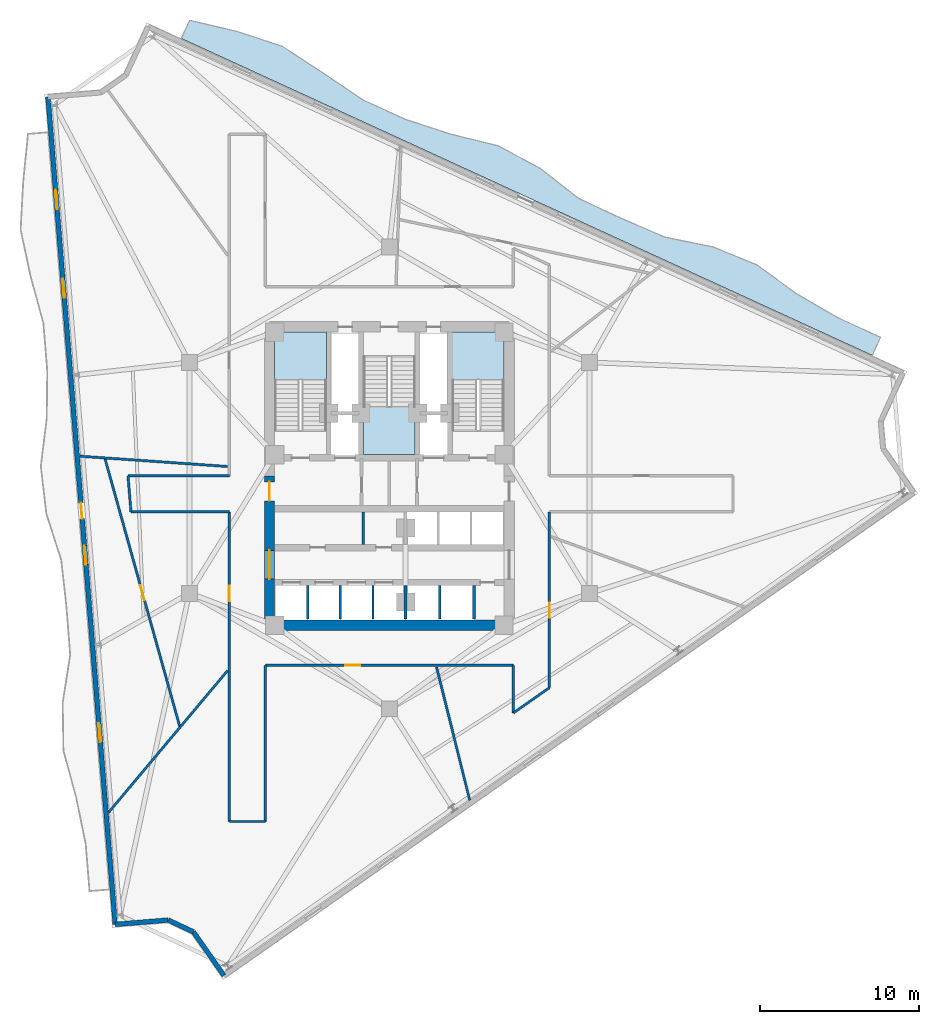
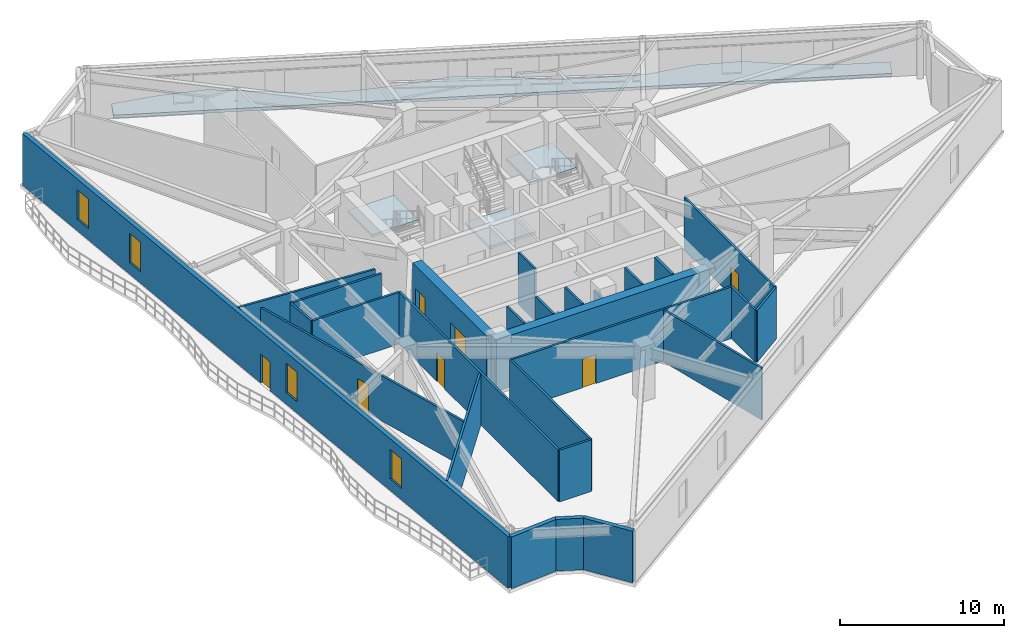
# One storey, part 4 of 10: 27 walls, 7 doors, 4 slabs, 4 windows, 11 openings, 3 elements without a shape of their own.
"""IFC4 building model written with IfcOpenShell, lengths in metres."""

from ifc_helpers import new_model, si_unit, direction, frame, frame_2d, origin, place, context, subcontext, project, spatial, polyline, rectangle, outline, extrude, material, layer, layer_set, type_object, element, fill, aggregate, save


model = new_model("IFC4")

# Units and contexts
model_context = context("Model", 3, precision=1e-05, world=origin(), true_north=direction((0.0, 1.0)))
body_context = subcontext(model_context, "Body", "Model", "MODEL_VIEW")
ifc_project = project(units=[si_unit("LENGTHUNIT", "METRE"), si_unit("AREAUNIT", "SQUARE_METRE"), si_unit("VOLUMEUNIT", "CUBIC_METRE"), si_unit("PLANEANGLEUNIT", "RADIAN"), si_unit("MASSUNIT", "GRAM", prefix="KILO")], contexts=[model_context])

# Site, building, storey
site_placement = place(None, origin())
site = spatial("IfcSite", under=ifc_project, at=site_placement, CompositionType="ELEMENT")
building_placement = place(site_placement, origin())
building = spatial("IfcBuilding", under=site, at=building_placement, Name="Apsidion Concourse Tower", CompositionType="ELEMENT")
storey_placement = place(building_placement, frame((0.0, 0.0, 202.39990234375)))
storey = spatial("IfcBuildingStorey", under=building, at=storey_placement, Name="L47", CompositionType="ELEMENT", Elevation=202.39990234375)

# Slab
ifc_material_1 = material(Name="Concrete C50/60", Category="concrete")
ifc_layer_1 = layer(ifc_material_1, 0.219970703125)
ifc_layer_set_1 = layer_set([ifc_layer_1], Name="Concrete C50/60")
slab_type_1 = type_object("IfcSlabType", Name="SL-BAL-220", PredefinedType="FLOOR", material=ifc_layer_set_1)
slab_1_placement = place(storey_placement, frame((0.0, 0.0, -0.219970703125)))
element("IfcSlab", 1, at=slab_1_placement, inside=storey, type_object=slab_type_1, Name="L47 Face 3 Rippling Balcony Slab", PredefinedType="FLOOR", context=body_context, shape_type="SweptSolid", body=[
    extrude(outline(polyline([(30.32080078125, 7.6865234375), (27.609375, 8.93017578125), (24.898193359375, 10.174072265625), (22.186767578125, 11.417724609375), (19.475341796875, 12.661376953125), (16.76416015625, 13.9052734375), (14.052734375, 15.14892578125), (11.34130859375, 16.392578125), (8.630126953125, 17.636474609375), (5.918701171875, 18.880126953125), (3.20751953125, 20.123779296875), (0.49609375, 21.36767578125), (-2.215087890625, 22.611328125), (-4.926513671875, 23.85498046875), (-7.637939453125, 25.098876953125), (-10.34912109375, 26.342529296875), (-13.060546875, 27.586181640625), (-12.539306640625, 28.722412109375), (-9.57470703125, 28.031005859375), (-6.7216796875, 27.095947265625), (-4.19873046875, 25.44189453125), (-1.694091796875, 23.74755859375), (1.017333984375, 22.50390625), (3.871826171875, 21.572265625), (6.8212890625, 20.847412109375), (9.45751953125, 19.440185546875), (11.872314453125, 17.550048828125), (14.573974609375, 16.28515625), (17.315185546875, 15.106201171875), (20.318359375, 14.4990234375), (23.081298828125, 13.36767578125), (25.540771484375, 11.574951171875), (28.130615234375, 10.06640625), (30.841796875, 8.822509765625), (30.32080078125, 7.6865234375)])), origin(), (0.0, 0.0, 1.0), 0.219970703125),
])

# Stair, slab
ifc_material_2 = material(Name="Precast concrete C40/50", Category="concrete")
stair_type = type_object("IfcStairType", Name="ST-DL-1550", PredefinedType="HALF_TURN_STAIR", material=ifc_material_2)
stair_1_placement = place(storey_placement, origin())
stair_1 = element("IfcStair", 2, at=stair_1_placement, inside=storey, type_object=stair_type, Name="L47 Protected Core Exit Stair ST1", PredefinedType="HALF_TURN_STAIR")
ifc_layer_2 = layer(ifc_material_1, 0.199951171875)
ifc_layer_set_2 = layer_set([ifc_layer_2], Name="Concrete C50/60")
slab_type_2 = type_object("IfcSlabType", Name="SL-ST-LAND-200", PredefinedType="LANDING", material=ifc_layer_set_2)
slab_2_placement = place(storey_placement, frame((0.0, 0.0, 1.85009765625)))
slab_2 = element("IfcSlab", 3, at=slab_2_placement, type_object=slab_type_2, Name="ST1 landing 1", PredefinedType="LANDING", context=body_context, shape_type="SweptSolid", body=[
    extrude(outline(polyline([(-3.949951171875, 6.135009765625), (-3.949951171875, 9.14990234375), (-7.199951171875, 9.14990234375), (-7.199951171875, 6.135009765625), (-3.949951171875, 6.135009765625)])), origin(), (0.0, 0.0, 1.0), 0.199951171875),
])
aggregate(stair_1, [slab_2])

stair_2_placement = place(storey_placement, origin())
stair_2 = element("IfcStair", 4, at=stair_2_placement, inside=storey, type_object=stair_type, Name="L47 Protected Core Exit Stair ST2", PredefinedType="HALF_TURN_STAIR")
slab_3_placement = place(storey_placement, frame((0.0, 0.0, 1.85009765625)))
slab_3 = element("IfcSlab", 5, at=slab_3_placement, type_object=slab_type_2, Name="ST2 landing 1", PredefinedType="LANDING", context=body_context, shape_type="SweptSolid", body=[
    extrude(outline(polyline([(7.199951171875, 6.135009765625), (7.199951171875, 9.14990234375), (3.949951171875, 9.14990234375), (3.949951171875, 6.135009765625), (7.199951171875, 6.135009765625)])), origin(), (0.0, 0.0, 1.0), 0.199951171875),
])
aggregate(stair_2, [slab_3])

stair_3_placement = place(storey_placement, origin())
stair_3 = element("IfcStair", 6, at=stair_3_placement, inside=storey, type_object=stair_type, Name="L47 Protected Core Exit Stair ST3", PredefinedType="HALF_TURN_STAIR")
slab_4_placement = place(storey_placement, frame((0.0, 0.0, 1.85009765625)))
slab_4 = element("IfcSlab", 7, at=slab_4_placement, type_object=slab_type_2, Name="ST3 landing 1", PredefinedType="LANDING", context=body_context, shape_type="SweptSolid", body=[
    extrude(outline(polyline([(-1.625, 4.465087890625), (-1.625, 1.449951171875), (1.625, 1.449951171875), (1.625, 4.465087890625), (-1.625, 4.465087890625)])), origin(), (0.0, 0.0, 1.0), 0.199951171875),
])
aggregate(stair_3, [slab_4])

# Walls
ifc_layer_3 = layer(ifc_material_2, 0.300048828125)
ifc_layer_set_3 = layer_set([ifc_layer_3], Name="Precast concrete C40/50")
wall_type_1 = type_object("IfcWallType", Name="WL-EXT-300", PredefinedType="STANDARD", material=ifc_layer_set_3)
wall_1_placement = place(storey_placement, frame((-10.384033203125, -31.251708984375, 0.0), z_axis=(0.0, 0.0, 1.0), x_axis=(-0.573550493689, 0.819170208925, 0.0)))
element("IfcWall", 8, at=wall_1_placement, inside=storey, type_object=wall_type_1, Name="L47 Precast Stone Facade Wall 06", PredefinedType="STANDARD", context=body_context, shape_type="SweptSolid", body=[
    extrude(rectangle(XDim=3.345703125, YDim=0.300048828125, at=frame_2d((1.6728515625, 0.0))), origin(), (0.0, 0.0, 1.0), 3.85009765625),
])
wall_2_placement = place(storey_placement, frame((-12.302978515625, -28.510986328125, 0.0), z_axis=(0.0, 0.0, 1.0), x_axis=(-0.904974111733, 0.425466634523, 0.0)))
element("IfcWall", 9, at=wall_2_placement, inside=storey, type_object=wall_type_1, Name="L47 Precast Stone Facade Wall 07", PredefinedType="STANDARD", context=body_context, shape_type="SweptSolid", body=[
    extrude(rectangle(XDim=1.743896484375, YDim=0.300048828125, at=frame_2d((0.8720703125, 0.0))), origin(), (0.0, 0.0, 1.0), 3.85009765625),
])
wall_3_placement = place(storey_placement, frame((-13.881103515625, -27.76904296875, 0.0), z_axis=(0.0, 0.0, 1.0), x_axis=(-0.996720145674, -0.080925590567, 0.0)))
element("IfcWall", 10, at=wall_3_placement, inside=storey, type_object=wall_type_1, Name="L47 Precast Stone Facade Wall 08", PredefinedType="STANDARD", context=body_context, shape_type="SweptSolid", body=[
    extrude(rectangle(XDim=3.345703125, YDim=0.300048828125, at=frame_2d((1.6728515625, 0.0))), origin(), (0.0, 0.0, 1.0), 3.85009765625),
])

# Wall, openings, door, windows
wall_4_placement = place(storey_placement, frame((-17.2158203125, -28.039794921875, 0.0), z_axis=(0.0, 0.0, 1.0), x_axis=(-0.080930933538, 0.996719711853, 0.0)))
wall_4 = element("IfcWall", 11, at=wall_4_placement, inside=storey, type_object=wall_type_1, Name="L47 Precast Stone Facade Wall 09", PredefinedType="STANDARD", context=body_context, shape_type="SweptSolid", body=[
    extrude(rectangle(XDim=52.127685546875, YDim=0.300048828125, at=frame_2d((26.06396484375, 0.0))), origin(), (0.0, 0.0, 1.0), 3.85009765625),
])
opening_1_placement = place(wall_4_placement, frame((25.56396484375, 0.0, 0.0)))
opening_1 = element("IfcOpeningElement", 12, at=opening_1_placement, cuts=wall_4, Name="Opening D-T1L", PredefinedType="OPENING", context=body_context, shape_type="SweptSolid", body=[
    extrude(rectangle(XDim=1.0, YDim=2.14990234375, at=frame_2d((0.5, 1.074951171875))), frame((0.0, 0.16015625, 0.0), z_axis=(0.0, -1.0, 0.0), x_axis=(1.0, 0.0, 0.0)), (0.0, 0.0, 1.0), 0.320068359375),
])
opening_2_placement = place(wall_4_placement, frame((11.4638671875, 0.0, 0.85009765625)))
opening_2 = element("IfcOpeningElement", 13, at=opening_2_placement, cuts=wall_4, Name="Opening WN-06", PredefinedType="OPENING", context=body_context, shape_type="SweptSolid", body=[
    extrude(rectangle(XDim=1.199951171875, YDim=2.199951171875, at=frame_2d((0.60009765625, 1.10009765625))), frame((0.0, 0.16015625, 0.0), z_axis=(0.0, -1.0, 0.0), x_axis=(1.0, 0.0, 0.0)), (0.0, 0.0, 1.0), 0.320068359375),
])
opening_3_placement = place(wall_4_placement, frame((22.663818359375, 0.0, 0.85009765625)))
opening_3 = element("IfcOpeningElement", 14, at=opening_3_placement, cuts=wall_4, Name="Opening WN-06", PredefinedType="OPENING", context=body_context, shape_type="SweptSolid", body=[
    extrude(rectangle(XDim=1.199951171875, YDim=2.199951171875, at=frame_2d((0.60009765625, 1.10009765625))), frame((0.0, 0.16015625, 0.0), z_axis=(0.0, -1.0, 0.0), x_axis=(1.0, 0.0, 0.0)), (0.0, 0.0, 1.0), 0.320068359375),
])
opening_4_placement = place(wall_4_placement, frame((39.4638671875, 0.0, 0.85009765625)))
opening_4 = element("IfcOpeningElement", 15, at=opening_4_placement, cuts=wall_4, Name="Opening WN-06", PredefinedType="OPENING", context=body_context, shape_type="SweptSolid", body=[
    extrude(rectangle(XDim=1.199951171875, YDim=2.199951171875, at=frame_2d((0.60009765625, 1.10009765625))), frame((0.0, 0.16015625, 0.0), z_axis=(0.0, -1.0, 0.0), x_axis=(1.0, 0.0, 0.0)), (0.0, 0.0, 1.0), 0.320068359375),
])
opening_5_placement = place(wall_4_placement, frame((45.06396484375, 0.0, 0.85009765625)))
opening_5 = element("IfcOpeningElement", 16, at=opening_5_placement, cuts=wall_4, Name="Opening WN-06", PredefinedType="OPENING", context=body_context, shape_type="SweptSolid", body=[
    extrude(rectangle(XDim=1.199951171875, YDim=2.199951171875, at=frame_2d((0.60009765625, 1.10009765625))), frame((0.0, 0.16015625, 0.0), z_axis=(0.0, -1.0, 0.0), x_axis=(1.0, 0.0, 0.0)), (0.0, 0.0, 1.0), 0.320068359375),
])
ifc_material_3 = material(Name="Anodised aluminium EN AW-6063 T6", Category="aluminium")
door_type_1 = type_object("IfcDoorType", Name="DR-TER-1022L", OperationType="SINGLE_SWING_LEFT", PredefinedType="DOOR", material=ifc_material_3)
door_1_placement = place(opening_1_placement, origin())
door_1 = element("IfcDoor", 17, at=door_1_placement, inside=storey, type_object=door_type_1, Name="L47 Balcony Access Door 2", OperationType="SINGLE_SWING_LEFT", OverallHeight=2.14990234375, OverallWidth=1.0, PredefinedType="DOOR", context=body_context, shape_type="SweptSolid", body=[
    extrude(rectangle(XDim=1.0, YDim=2.14990234375, at=frame_2d((0.5, 1.074951171875))), frame((0.0, 0.02490234375, 0.0), z_axis=(0.0, -1.0, 0.0), x_axis=(1.0, 0.0, 0.0)), (0.0, 0.0, 1.0), 0.050048828125),
])
fill(opening_1, door_1)
ifc_material_4 = material(Name="Insulated laminated low-E glass", Category="glass")
window_type = type_object("IfcWindowType", Name="WN-OFF-1224", PartitioningType="SINGLE_PANEL", PredefinedType="WINDOW", material=ifc_material_4)
window_1_placement = place(opening_2_placement, origin())
window_1 = element("IfcWindow", 18, at=window_1_placement, inside=storey, type_object=window_type, Name="L47 Punched Facade Window 9-02", OverallHeight=2.199951171875, OverallWidth=1.199951171875, PartitioningType="SINGLE_PANEL", PredefinedType="WINDOW", context=body_context, shape_type="SweptSolid", body=[
    extrude(rectangle(XDim=1.199951171875, YDim=2.199951171875, at=frame_2d((0.60009765625, 1.10009765625))), frame((0.0, 0.030029296875, 0.0), z_axis=(0.0, -1.0, 0.0), x_axis=(1.0, 0.0, 0.0)), (0.0, 0.0, 1.0), 0.06005859375),
])
fill(opening_2, window_1)
window_2_placement = place(opening_3_placement, origin())
window_2 = element("IfcWindow", 19, at=window_2_placement, inside=storey, type_object=window_type, Name="L47 Punched Facade Window 9-04", OverallHeight=2.199951171875, OverallWidth=1.199951171875, PartitioningType="SINGLE_PANEL", PredefinedType="WINDOW", context=body_context, shape_type="SweptSolid", body=[
    extrude(rectangle(XDim=1.199951171875, YDim=2.199951171875, at=frame_2d((0.60009765625, 1.10009765625))), frame((0.0, 0.030029296875, 0.0), z_axis=(0.0, -1.0, 0.0), x_axis=(1.0, 0.0, 0.0)), (0.0, 0.0, 1.0), 0.06005859375),
])
fill(opening_3, window_2)
window_3_placement = place(opening_4_placement, origin())
window_3 = element("IfcWindow", 20, at=window_3_placement, inside=storey, type_object=window_type, Name="L47 Punched Facade Window 9-07", OverallHeight=2.199951171875, OverallWidth=1.199951171875, PartitioningType="SINGLE_PANEL", PredefinedType="WINDOW", context=body_context, shape_type="SweptSolid", body=[
    extrude(rectangle(XDim=1.199951171875, YDim=2.199951171875, at=frame_2d((0.60009765625, 1.10009765625))), frame((0.0, 0.030029296875, 0.0), z_axis=(0.0, -1.0, 0.0), x_axis=(1.0, 0.0, 0.0)), (0.0, 0.0, 1.0), 0.06005859375),
])
fill(opening_4, window_3)
window_4_placement = place(opening_5_placement, origin())
window_4 = element("IfcWindow", 21, at=window_4_placement, inside=storey, type_object=window_type, Name="L47 Punched Facade Window 9-08", OverallHeight=2.199951171875, OverallWidth=1.199951171875, PartitioningType="SINGLE_PANEL", PredefinedType="WINDOW", context=body_context, shape_type="SweptSolid", body=[
    extrude(rectangle(XDim=1.199951171875, YDim=2.199951171875, at=frame_2d((0.60009765625, 1.10009765625))), frame((0.0, 0.030029296875, 0.0), z_axis=(0.0, -1.0, 0.0), x_axis=(1.0, 0.0, 0.0)), (0.0, 0.0, 1.0), 0.06005859375),
])
fill(opening_5, window_4)

# Walls
ifc_material_5 = material(Name="Gypsum plasterboard partition")
ifc_layer_4 = layer(ifc_material_5, 0.14990234375)
ifc_layer_set_4 = layer_set([ifc_layer_4], Name="Gypsum plasterboard partition")
wall_type_2 = type_object("IfcWallType", Name="WL-INT-PAR-150", PredefinedType="PARTITIONING", material=ifc_layer_set_4)
wall_5_placement = place(storey_placement, frame((-1.64990234375, -4.179931640625, 0.0), z_axis=(0.0, 0.0, 1.0), x_axis=(0.0, 1.0, 0.0)))
element("IfcWall", 22, at=wall_5_placement, inside=storey, type_object=wall_type_2, Name="L47 Interior Partition WL-L47-B1RV1", PredefinedType="PARTITIONING", context=body_context, shape_type="SweptSolid", body=[
    extrude(rectangle(XDim=2.030029296875, YDim=0.14990234375, at=frame_2d((1.01513671875, 0.0))), origin(), (0.0, 0.0, 1.0), 3.85009765625),
])
for number, where, z_axis, x_axis, name in (
    (23, (-5.125, -8.85009765625, 0.0), (0.0, 0.0, 1.0), (0.0, 1.0, 0.0), "L47 Interior Partition WL-L47-B2DIV-1"),
    (24, (-3.074951171875, -8.85009765625, 0.0), (0.0, 0.0, 1.0), (0.0, 1.0, 0.0), "L47 Interior Partition WL-L47-B2DIV-2"),
    (25, (-1.02490234375, -8.85009765625, 0.0), (0.0, 0.0, 1.0), (0.0, 1.0, 0.0), "L47 Interior Partition WL-L47-B2DIV-3"),
    (26, (3.175048828125, -8.85009765625, 0.0), (0.0, 0.0, 1.0), (0.0, 1.0, 0.0), "L47 Interior Partition WL-L47-SHDIV-1"),
):
    element("IfcWall", number, at=place(storey_placement, frame(where, z_axis=z_axis, x_axis=x_axis)), inside=storey, type_object=wall_type_2, Name=name, PredefinedType="PARTITIONING", context=body_context, shape_type="SweptSolid", body=[
        extrude(rectangle(XDim=2.080078125, YDim=0.14990234375, at=frame_2d((1.0400390625, 0.0))), origin(), (0.0, 0.0, 1.0), 3.85009765625),
    ])
wall_6_placement = place(storey_placement, frame((10.050048828125, -13.177490234375, 0.0), z_axis=(0.0, 0.0, 1.0), x_axis=(-0.819144609591, -0.573587054053, 0.0)))
element("IfcWall", 27, at=wall_6_placement, inside=storey, type_object=wall_type_2, Name="L47 Interior Partition WL-L47-CORR-01", PredefinedType="PARTITIONING", context=body_context, shape_type="SweptSolid", body=[
    extrude(rectangle(XDim=2.759033203125, YDim=0.14990234375, at=frame_2d((1.37939453125, 0.0))), origin(), (0.0, 0.0, 1.0), 3.85009765625),
])
wall_7_placement = place(storey_placement, frame((7.7900390625, -14.760009765625, 0.0), z_axis=(0.0, 0.0, 1.0), x_axis=(0.0, 1.0, 0.0)))
element("IfcWall", 28, at=wall_7_placement, inside=storey, type_object=wall_type_2, Name="L47 Interior Partition WL-L47-CORR-02", PredefinedType="PARTITIONING", context=body_context, shape_type="SweptSolid", body=[
    extrude(rectangle(XDim=2.985107421875, YDim=0.14990234375, at=frame_2d((1.49267578125, 0.0))), origin(), (0.0, 0.0, 1.0), 3.85009765625),
])

# Wall, opening, door
wall_8_placement = place(storey_placement, frame((7.7900390625, -11.77490234375, 0.0), z_axis=(0.0, 0.0, 1.0), x_axis=(-1.0, 0.0, 0.0)))
wall_8 = element("IfcWall", 29, at=wall_8_placement, inside=storey, type_object=wall_type_2, Name="L47 Interior Partition WL-L47-CORR-03", PredefinedType="PARTITIONING", context=body_context, shape_type="SweptSolid", body=[
    extrude(rectangle(XDim=15.580078125, YDim=0.14990234375, at=frame_2d((7.7900390625, 0.0))), origin(), (0.0, 0.0, 1.0), 3.85009765625),
])
opening_6_placement = place(wall_8_placement, frame((9.605224609375, 0.0, 0.0)))
opening_6 = element("IfcOpeningElement", 30, at=opening_6_placement, cuts=wall_8, Name="Opening D-01R", PredefinedType="OPENING", context=body_context, shape_type="SweptSolid", body=[
    extrude(rectangle(XDim=0.949951171875, YDim=2.14990234375, at=frame_2d((0.47509765625, 1.074951171875))), frame((0.0, 0.0849609375, 0.0), z_axis=(0.0, -1.0, 0.0), x_axis=(1.0, 0.0, 0.0)), (0.0, 0.0, 1.0), 0.169921875),
])
ifc_material_6 = material(Name="Brushed stainless steel 316", Category="steel")
door_type_2 = type_object("IfcDoorType", Name="DR-INT-D01R", OperationType="SINGLE_SWING_RIGHT", PredefinedType="DOOR", material=ifc_material_6)
door_2_placement = place(opening_6_placement, origin())
door_2 = element("IfcDoor", 31, at=door_2_placement, inside=storey, type_object=door_type_2, Name="L47 Corridor Entry Door 02", OperationType="SINGLE_SWING_RIGHT", OverallHeight=2.14990234375, OverallWidth=0.949951171875, PredefinedType="DOOR", context=body_context, shape_type="SweptSolid", body=[
    extrude(rectangle(XDim=0.949951171875, YDim=2.14990234375, at=frame_2d((0.47509765625, 1.074951171875))), frame((0.0, 0.02490234375, 0.0), z_axis=(0.0, -1.0, 0.0), x_axis=(1.0, 0.0, 0.0)), (0.0, 0.0, 1.0), 0.050048828125),
])
fill(opening_6, door_2)

# Walls
wall_9_placement = place(storey_placement, frame((-7.7900390625, -11.77490234375, 0.0), z_axis=(0.0, 0.0, 1.0), x_axis=(0.0, -1.0, 0.0)))
element("IfcWall", 32, at=wall_9_placement, inside=storey, type_object=wall_type_2, Name="L47 Interior Partition WL-L47-CORR-04", PredefinedType="PARTITIONING", context=body_context, shape_type="SweptSolid", body=[
    extrude(rectangle(XDim=9.80517578125, YDim=0.14990234375, at=frame_2d((4.902587890625, 0.0))), origin(), (0.0, 0.0, 1.0), 3.85009765625),
])
wall_10_placement = place(storey_placement, frame((-7.7900390625, -21.580078125, 0.0), z_axis=(0.0, 0.0, 1.0), x_axis=(-1.0, 0.0, 0.0)))
element("IfcWall", 33, at=wall_10_placement, inside=storey, type_object=wall_type_2, Name="L47 Interior Partition WL-L47-CORR-05", PredefinedType="PARTITIONING", context=body_context, shape_type="SweptSolid", body=[
    extrude(rectangle(XDim=2.260009765625, YDim=0.14990234375, at=frame_2d((1.1298828125, 0.0))), origin(), (0.0, 0.0, 1.0), 3.85009765625),
])

# Wall, opening, door
wall_11_placement = place(storey_placement, frame((-10.050048828125, -21.580078125, 0.0), z_axis=(0.0, 0.0, 1.0), x_axis=(0.0, 1.0, 0.0)))
wall_11 = element("IfcWall", 34, at=wall_11_placement, inside=storey, type_object=wall_type_2, Name="L47 Interior Partition WL-L47-CORR-06", PredefinedType="PARTITIONING", context=body_context, shape_type="SweptSolid", body=[
    extrude(rectangle(XDim=19.4501953125, YDim=0.14990234375, at=frame_2d((9.72509765625, 0.0))), origin(), (0.0, 0.0, 1.0), 3.85009765625),
])
opening_7_placement = place(wall_11_placement, frame((13.845947265625, 0.0, 0.0)))
opening_7 = element("IfcOpeningElement", 35, at=opening_7_placement, cuts=wall_11, Name="Opening D-01L", PredefinedType="OPENING", context=body_context, shape_type="SweptSolid", body=[
    extrude(rectangle(XDim=0.949951171875, YDim=2.14990234375, at=frame_2d((0.47509765625, 1.074951171875))), frame((0.0, 0.0849609375, 0.0), z_axis=(0.0, -1.0, 0.0), x_axis=(1.0, 0.0, 0.0)), (0.0, 0.0, 1.0), 0.169921875),
])
door_type_3 = type_object("IfcDoorType", Name="DR-INT-D01L", OperationType="SINGLE_SWING_LEFT", PredefinedType="DOOR", material=ifc_material_6)
door_3_placement = place(opening_7_placement, origin())
door_3 = element("IfcDoor", 36, at=door_3_placement, inside=storey, type_object=door_type_3, Name="L47 Corridor Entry Door 01", OperationType="SINGLE_SWING_LEFT", OverallHeight=2.14990234375, OverallWidth=0.949951171875, PredefinedType="DOOR", context=body_context, shape_type="SweptSolid", body=[
    extrude(rectangle(XDim=0.949951171875, YDim=2.14990234375, at=frame_2d((0.47509765625, 1.074951171875))), frame((0.0, 0.02490234375, 0.0), z_axis=(0.0, -1.0, 0.0), x_axis=(1.0, 0.0, 0.0)), (0.0, 0.0, 1.0), 0.050048828125),
])
fill(opening_7, door_3)

# Walls
wall_12_placement = place(storey_placement, frame((-10.050048828125, -2.1298828125, 0.0), z_axis=(0.0, 0.0, 1.0), x_axis=(-1.0, 0.0, 0.0)))
element("IfcWall", 37, at=wall_12_placement, inside=storey, type_object=wall_type_2, Name="L47 Interior Partition WL-L47-CORR-07", PredefinedType="PARTITIONING", context=body_context, shape_type="SweptSolid", body=[
    extrude(rectangle(XDim=6.17431640625, YDim=0.14990234375, at=frame_2d((3.087158203125, 0.0))), origin(), (0.0, 0.0, 1.0), 3.85009765625),
])
wall_13_placement = place(storey_placement, frame((-16.224365234375, -2.1298828125, 0.0), z_axis=(0.0, 0.0, 1.0), x_axis=(-0.080977783256, 0.996715906675, 0.0)))
element("IfcWall", 38, at=wall_13_placement, inside=storey, type_object=wall_type_2, Name="L47 Interior Partition WL-L47-CORR-08", PredefinedType="PARTITIONING", context=body_context, shape_type="SweptSolid", body=[
    extrude(rectangle(XDim=2.26708984375, YDim=0.14990234375, at=frame_2d((1.133544921875, 0.0))), origin(), (0.0, 0.0, 1.0), 3.85009765625),
])
wall_14_placement = place(storey_placement, frame((-16.407958984375, 0.1298828125, 0.0), z_axis=(0.0, 0.0, 1.0), x_axis=(1.0, 0.0, 0.0)))
element("IfcWall", 39, at=wall_14_placement, inside=storey, type_object=wall_type_2, Name="L47 Interior Partition WL-L47-CORR-09", PredefinedType="PARTITIONING", context=body_context, shape_type="SweptSolid", body=[
    extrude(rectangle(XDim=6.35791015625, YDim=0.14990234375, at=frame_2d((3.178955078125, 0.0))), origin(), (0.0, 0.0, 1.0), 3.85009765625),
])

# Wall, opening, door
wall_15_placement = place(storey_placement, frame((10.050048828125, -2.1298828125, 0.0), z_axis=(0.0, 0.0, 1.0), x_axis=(0.0, -1.0, 0.0)))
wall_15 = element("IfcWall", 40, at=wall_15_placement, inside=storey, type_object=wall_type_2, Name="L47 Interior Partition WL-L47-CORR-20", PredefinedType="PARTITIONING", context=body_context, shape_type="SweptSolid", body=[
    extrude(rectangle(XDim=11.047607421875, YDim=0.14990234375, at=frame_2d((5.52392578125, 0.0))), origin(), (0.0, 0.0, 1.0), 3.85009765625),
])
opening_8_placement = place(wall_15_placement, frame((5.70166015625, 0.0, 0.0)))
opening_8 = element("IfcOpeningElement", 41, at=opening_8_placement, cuts=wall_15, Name="Opening D-01L", PredefinedType="OPENING", context=body_context, shape_type="SweptSolid", body=[
    extrude(rectangle(XDim=0.949951171875, YDim=2.14990234375, at=frame_2d((0.47509765625, 1.074951171875))), frame((0.0, 0.0849609375, 0.0), z_axis=(0.0, -1.0, 0.0), x_axis=(1.0, 0.0, 0.0)), (0.0, 0.0, 1.0), 0.169921875),
])
door_4_placement = place(opening_8_placement, origin())
door_4 = element("IfcDoor", 42, at=door_4_placement, inside=storey, type_object=door_type_3, Name="L47 Corridor Entry Door 03", OperationType="SINGLE_SWING_LEFT", OverallHeight=2.14990234375, OverallWidth=0.949951171875, PredefinedType="DOOR", context=body_context, shape_type="SweptSolid", body=[
    extrude(rectangle(XDim=0.949951171875, YDim=2.14990234375, at=frame_2d((0.47509765625, 1.074951171875))), frame((0.0, 0.02490234375, 0.0), z_axis=(0.0, -1.0, 0.0), x_axis=(1.0, 0.0, 0.0)), (0.0, 0.0, 1.0), 0.050048828125),
])
fill(opening_8, door_4)

# Walls
wall_16_placement = place(storey_placement, frame((-10.155029296875, 0.710205078125, 0.0), z_axis=(0.0, 0.0, 1.0), x_axis=(-0.997565304972, 0.069738528198, 0.0)))
element("IfcWall", 43, at=wall_16_placement, inside=storey, type_object=wall_type_2, Name="L47 Interior Partition WL-L47-RAD-04-1", PredefinedType="PARTITIONING", context=body_context, shape_type="SweptSolid", body=[
    extrude(rectangle(XDim=9.30517578125, YDim=0.14990234375, at=frame_2d((4.652587890625, 0.0))), origin(), (0.0, 0.0, 1.0), 3.85009765625),
])
wall_17_placement = place(storey_placement, frame((-10.155029296875, -12.102294921875, 0.0), z_axis=(0.0, 0.0, 1.0), x_axis=(-0.642783386064, -0.766047987139, 0.0)))
element("IfcWall", 44, at=wall_17_placement, inside=storey, type_object=wall_type_2, Name="L47 Interior Partition WL-L47-RAD-05-1", PredefinedType="PARTITIONING", context=body_context, shape_type="SweptSolid", body=[
    extrude(rectangle(XDim=11.616455078125, YDim=0.14990234375, at=frame_2d((5.80810546875, 0.0))), origin(), (0.0, 0.0, 1.0), 3.85009765625),
])
wall_18_placement = place(storey_placement, frame((2.9619140625, -11.8798828125, 0.0), z_axis=(0.0, 0.0, 1.0), x_axis=(0.241929217896, -0.970293900593, 0.0)))
element("IfcWall", 45, at=wall_18_placement, inside=storey, type_object=wall_type_2, Name="L47 Interior Partition WL-L47-RAD-06-1", PredefinedType="PARTITIONING", context=body_context, shape_type="SweptSolid", body=[
    extrude(rectangle(XDim=8.62109375, YDim=0.14990234375, at=frame_2d((4.310546875, 0.0))), origin(), (0.0, 0.0, 1.0), 3.85009765625),
])

# Wall, opening, door
wall_19_placement = place(storey_placement, frame((-17.8583984375, 1.2236328125, 0.0), z_axis=(0.0, 0.0, 1.0), x_axis=(0.268755034732, -0.963208560648, 0.0)))
wall_19 = element("IfcWall", 46, at=wall_19_placement, inside=storey, type_object=wall_type_2, Name="L47 Interior Partition WL-L47-CHD-OFWC", PredefinedType="PARTITIONING", context=body_context, shape_type="SweptSolid", body=[
    extrude(rectangle(XDim=17.505126953125, YDim=0.14990234375, at=frame_2d((8.75244140625, 0.0))), origin(), (0.0, 0.0, 1.0), 3.373046875),
])
opening_9_placement = place(wall_19_placement, frame((8.277587890625, 0.0, 0.0)))
opening_9 = element("IfcOpeningElement", 47, at=opening_9_placement, cuts=wall_19, Name="Opening D-04L", PredefinedType="OPENING", context=body_context, shape_type="SweptSolid", body=[
    extrude(rectangle(XDim=0.949951171875, YDim=2.14990234375, at=frame_2d((0.47509765625, 1.074951171875))), frame((0.0, 0.0849609375, 0.0), z_axis=(0.0, -1.0, 0.0), x_axis=(1.0, 0.0, 0.0)), (0.0, 0.0, 1.0), 0.169921875),
])
door_type_4 = type_object("IfcDoorType", Name="DR-INT-D04L", OperationType="SINGLE_SWING_LEFT", PredefinedType="DOOR", material=ifc_material_6)
door_5_placement = place(opening_9_placement, origin())
door_5 = element("IfcDoor", 48, at=door_5_placement, inside=storey, type_object=door_type_4, Name="L47 Suite Connecting Door OFWC", OperationType="SINGLE_SWING_LEFT", OverallHeight=2.14990234375, OverallWidth=0.949951171875, PredefinedType="DOOR", context=body_context, shape_type="SweptSolid", body=[
    extrude(rectangle(XDim=0.949951171875, YDim=2.14990234375, at=frame_2d((0.47509765625, 1.074951171875))), frame((0.0, 0.02490234375, 0.0), z_axis=(0.0, -1.0, 0.0), x_axis=(1.0, 0.0, 0.0)), (0.0, 0.0, 1.0), 0.050048828125),
])
fill(opening_9, door_5)

# Walls
ifc_layer_5 = layer(ifc_material_5, 0.179931640625)
ifc_layer_set_5 = layer_set([ifc_layer_5], Name="Gypsum plasterboard partition")
wall_type_3 = type_object("IfcWallType", Name="WL-INT-PAR-180", PredefinedType="PARTITIONING", material=ifc_layer_set_5)
wall_20_placement = place(storey_placement, frame((1.02490234375, -8.85009765625, 0.0), z_axis=(0.0, 0.0, 1.0), x_axis=(0.0, 1.0, 0.0)))
element("IfcWall", 49, at=wall_20_placement, inside=storey, type_object=wall_type_3, Name="L47 Interior Partition WL-L47-B2END", PredefinedType="PARTITIONING", context=body_context, shape_type="SweptSolid", body=[
    extrude(rectangle(XDim=2.080078125, YDim=0.179931640625, at=frame_2d((1.0400390625, 0.0))), origin(), (0.0, 0.0, 1.0), 2.898193359375),
])
wall_21_placement = place(storey_placement, frame((5.324951171875, -8.85009765625, 0.0), z_axis=(0.0, 0.0, 1.0), x_axis=(0.0, 1.0, 0.0)))
element("IfcWall", 50, at=wall_21_placement, inside=storey, type_object=wall_type_3, Name="L47 Interior Partition WL-L47-SHDIV-2", PredefinedType="PARTITIONING", context=body_context, shape_type="SweptSolid", body=[
    extrude(rectangle(XDim=2.080078125, YDim=0.179931640625, at=frame_2d((1.0400390625, 0.0))), origin(), (0.0, 0.0, 1.0), 3.85009765625),
])

# Wall, openings, doors
ifc_layer_6 = layer(ifc_material_1, 0.64990234375)
ifc_layer_set_6 = layer_set([ifc_layer_6], Name="Concrete C50/60")
wall_type_4 = type_object("IfcWallType", Name="WL-SH-650", PredefinedType="SHEAR", material=ifc_layer_set_6)
wall_22_placement = place(storey_placement, frame((-7.52490234375, -8.925048828125, 0.0), z_axis=(0.0, 0.0, 1.0), x_axis=(0.0, 1.0, 0.0)))
wall_22 = element("IfcWall", 51, at=wall_22_placement, inside=storey, type_object=wall_type_4, Name="L47 Central Core Shear Wall WS", PredefinedType="SHEAR", context=body_context, shape_type="SweptSolid", body=[
    extrude(rectangle(XDim=9.025146484375, YDim=0.64990234375, at=frame_2d((4.5126953125, 0.0))), origin(), (0.0, 0.0, 1.0), 3.85009765625),
])
opening_10_placement = place(wall_22_placement, frame((2.56494140625, 0.0, 0.0)))
opening_10 = element("IfcOpeningElement", 52, at=opening_10_placement, cuts=wall_22, Name="Opening D-06D", PredefinedType="OPENING", context=body_context, shape_type="SweptSolid", body=[
    extrude(rectangle(XDim=1.800048828125, YDim=2.199951171875, at=frame_2d((0.89990234375, 1.10009765625))), frame((0.0, 0.3349609375, 0.0), z_axis=(0.0, -1.0, 0.0), x_axis=(1.0, 0.0, 0.0)), (0.0, 0.0, 1.0), 0.669921875),
])
opening_11_placement = place(wall_22_placement, frame((7.47509765625, 0.0, 0.0)))
opening_11 = element("IfcOpeningElement", 53, at=opening_11_placement, cuts=wall_22, Name="Opening D-FFL", PredefinedType="OPENING", context=body_context, shape_type="SweptSolid", body=[
    extrude(rectangle(XDim=1.199951171875, YDim=2.14990234375, at=frame_2d((0.60009765625, 1.074951171875))), frame((0.0, 0.3349609375, 0.0), z_axis=(0.0, -1.0, 0.0), x_axis=(1.0, 0.0, 0.0)), (0.0, 0.0, 1.0), 0.669921875),
])
door_type_5 = type_object("IfcDoorType", Name="DR-INT-D06D", OperationType="DOUBLE_DOOR_SINGLE_SWING", PredefinedType="DOOR", material=ifc_material_6)
door_6_placement = place(opening_10_placement, origin())
door_6 = element("IfcDoor", 54, at=door_6_placement, inside=storey, type_object=door_type_5, Name="L47 Passenger Lift Lobby WS Portal Door", OperationType="DOUBLE_DOOR_SINGLE_SWING", OverallHeight=2.199951171875, OverallWidth=1.800048828125, PredefinedType="DOOR", context=body_context, shape_type="SweptSolid", body=[
    extrude(rectangle(XDim=1.800048828125, YDim=2.199951171875, at=frame_2d((0.89990234375, 1.10009765625))), frame((0.0, 0.02490234375, 0.0), z_axis=(0.0, -1.0, 0.0), x_axis=(1.0, 0.0, 0.0)), (0.0, 0.0, 1.0), 0.050048828125),
])
fill(opening_10, door_6)
door_type_6 = type_object("IfcDoorType", Name="DR-INT-FFL", OperationType="SINGLE_SWING_LEFT", PredefinedType="DOOR", material=ifc_material_6)
door_7_placement = place(opening_11_placement, origin())
door_7 = element("IfcDoor", 55, at=door_7_placement, inside=storey, type_object=door_type_6, Name="L47 Firefighting Lift Lobby FF1 Door", OperationType="SINGLE_SWING_LEFT", OverallHeight=2.14990234375, OverallWidth=1.199951171875, PredefinedType="DOOR", context=body_context, shape_type="SweptSolid", body=[
    extrude(rectangle(XDim=1.199951171875, YDim=2.14990234375, at=frame_2d((0.60009765625, 1.074951171875))), frame((0.0, 0.02490234375, 0.0), z_axis=(0.0, -1.0, 0.0), x_axis=(1.0, 0.0, 0.0)), (0.0, 0.0, 1.0), 0.050048828125),
])
fill(opening_11, door_7)

# Wall
wall_23_placement = place(storey_placement, frame((-7.52490234375, -9.25, 0.0), z_axis=(0.0, 0.0, 1.0), x_axis=(1.0, 0.0, 0.0)))
element("IfcWall", 56, at=wall_23_placement, inside=storey, type_object=wall_type_4, Name="L47 Central Core Shear Wall S", PredefinedType="SHEAR", context=body_context, shape_type="SweptSolid", body=[
    extrude(rectangle(XDim=15.0498046875, YDim=0.64990234375, at=frame_2d((7.52490234375, 0.0))), origin(), (0.0, 0.0, 1.0), 3.85009765625),
])

save(model, "model.ifc")
